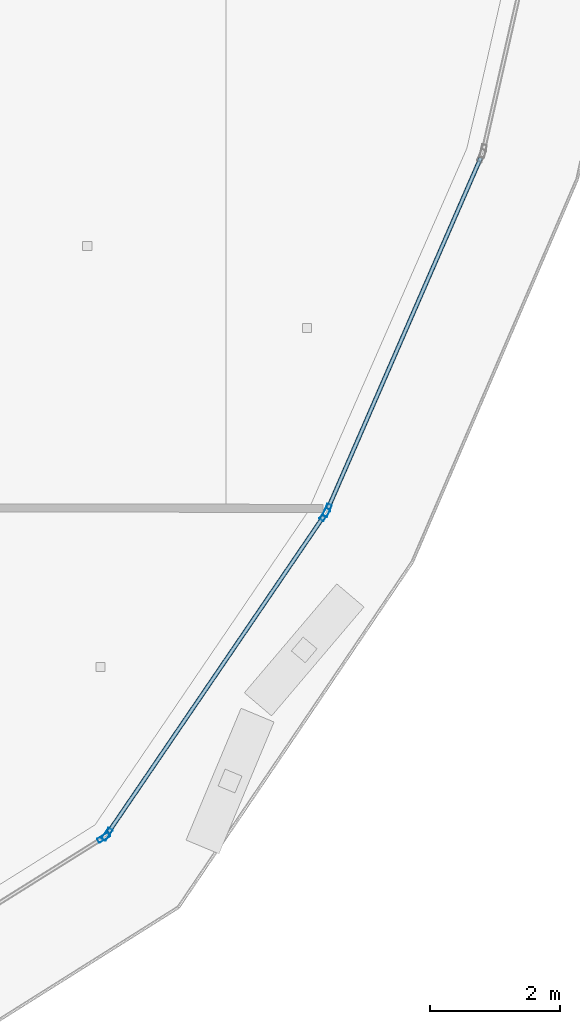
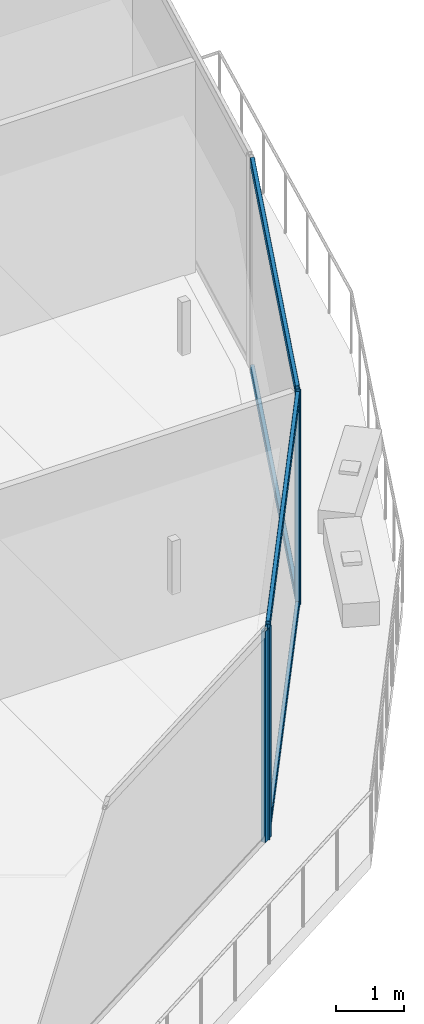
# One storey, part 13 of 40: 8 members, 3 elements without a shape of their own.
"""IFC4 building model written with IfcOpenShell, lengths in metres."""

from ifc_helpers import new_model, si_unit, direction, frame, origin, origin_2d, place, context, subcontext, project, spatial, hollow_rectangle, extrude, material, layer, layer_set, material_profile, profile_set, type_object, element, aggregate, save


model = new_model("IFC4")

# Units and contexts
model_context = context("Model", 3, precision=1e-05, world=origin(), true_north=direction((0.0, 1.0)))
body_context = subcontext(model_context, "Body", "Model", "MODEL_VIEW")
ifc_project = project(units=[si_unit("LENGTHUNIT", "METRE"), si_unit("AREAUNIT", "SQUARE_METRE"), si_unit("VOLUMEUNIT", "CUBIC_METRE"), si_unit("PLANEANGLEUNIT", "RADIAN"), si_unit("MASSUNIT", "GRAM", prefix="KILO")], contexts=[model_context])

# Site, building, storey
site_placement = place(None, origin())
site = spatial("IfcSite", under=ifc_project, at=site_placement, CompositionType="ELEMENT")
building_placement = place(site_placement, origin())
building = spatial("IfcBuilding", under=site, at=building_placement, Name="Qorvath Tower", CompositionType="ELEMENT")
storey_placement = place(building_placement, frame((0.0, 0.0, 225.300048828125)))
storey = spatial("IfcBuildingStorey", under=building, at=storey_placement, Name="L52", CompositionType="ELEMENT", Elevation=225.300048828125)

# Curtain wall, member
ifc_material_1 = material(Name="Anodised aluminium and triple low-E glass", Category="aluminium")
ifc_layer = layer(ifc_material_1, 0.179931640625)
ifc_layer_set = layer_set([ifc_layer], Name="CW-SYS-5")
curtain_wall_type = type_object("IfcCurtainWallType", Name="CW-SYS-5", PredefinedType="NOTDEFINED", material=ifc_layer_set)
curtain_wall_1_placement = place(storey_placement, origin())
curtain_wall_1 = element("IfcCurtainWall", 1, at=curtain_wall_1_placement, inside=storey, type_object=curtain_wall_type, Name="Curtain Wall CW-5 CW-T-L52-6.1", PredefinedType="NOTDEFINED")
ifc_material_2 = material(Name="Anodised aluminium 6063-T6", Category="aluminium")
ifc_material_profile_1 = material_profile(ifc_material_2, hollow_rectangle(XDim=0.074951171875, YDim=0.199951171875, WallThickness=0.00390625, InnerFilletRadius=0.00390625, OuterFilletRadius=0.008056640625, at=origin_2d()), Name="CWM 200x75")
ifc_profile_set_1 = profile_set([ifc_material_profile_1], Name="Anodised aluminium 6063-T6")
member_type_1 = type_object("IfcMemberType", Name="CWM-200", PredefinedType="MULLION", material=ifc_profile_set_1)
member_1_placement = place(storey_placement, frame((-6.4638671875, -20.614990234375, 0.0), z_axis=(0.0, 0.0, 1.0), x_axis=(-0.530545314822, 0.84765657487, 0.0)))
member_1 = element("IfcMember", 2, at=member_1_placement, type_object=member_type_1, Name="CW-5 mullion 2", PredefinedType="MULLION", context=body_context, shape_type="SweptSolid", body=[
    extrude(hollow_rectangle(XDim=0.074951171875, YDim=0.199951171875, WallThickness=0.00390625, InnerFilletRadius=0.00390625, OuterFilletRadius=0.008056640625, at=origin_2d()), origin(), (0.0, 0.0, 1.0), 3.780029296875),
])
aggregate(curtain_wall_1, [member_1])

# Curtain wall, members
curtain_wall_2_placement = place(storey_placement, origin())
curtain_wall_2 = element("IfcCurtainWall", 3, at=curtain_wall_2_placement, inside=storey, type_object=curtain_wall_type, Name="Curtain Wall CW-5 CW-T-L52-7.1", PredefinedType="NOTDEFINED")
member_2_placement = place(storey_placement, frame((-6.410888671875, -20.56396484375, 0.0), z_axis=(0.0, 0.0, 1.0), x_axis=(-0.826490619847, 0.56295049099, 0.0)))
member_2 = element("IfcMember", 4, at=member_2_placement, type_object=member_type_1, Name="CW-5 mullion 1", PredefinedType="MULLION", context=body_context, shape_type="SweptSolid", body=[
    extrude(hollow_rectangle(XDim=0.074951171875, YDim=0.199951171875, WallThickness=0.00390625, InnerFilletRadius=0.00390625, OuterFilletRadius=0.008056640625, at=origin_2d()), origin(), (0.0, 0.0, 1.0), 3.780029296875),
])
member_3_placement = place(storey_placement, frame((-3.05712890625, -15.639892578125, 0.0), z_axis=(0.0, 0.0, 1.0), x_axis=(-0.826490619847, 0.56295049099, 0.0)))
member_3 = element("IfcMember", 5, at=member_3_placement, type_object=member_type_1, Name="CW-5 mullion 2", PredefinedType="MULLION", context=body_context, shape_type="SweptSolid", body=[
    extrude(hollow_rectangle(XDim=0.074951171875, YDim=0.199951171875, WallThickness=0.00390625, InnerFilletRadius=0.00390625, OuterFilletRadius=0.008056640625, at=origin_2d()), origin(), (0.0, 0.0, 1.0), 3.780029296875),
])

# Curtain wall, member
curtain_wall_3_placement = place(storey_placement, origin())
curtain_wall_3 = element("IfcCurtainWall", 6, at=curtain_wall_3_placement, inside=storey, type_object=curtain_wall_type, Name="Curtain Wall CW-5 CW-T-L52-8.1", PredefinedType="NOTDEFINED")
member_4_placement = place(storey_placement, frame((-3.02099609375, -15.574462890625, 0.0), z_axis=(0.0, 0.0, 1.0), x_axis=(-0.916784683156, 0.399381828243, 0.0)))
member_4 = element("IfcMember", 7, at=member_4_placement, type_object=member_type_1, Name="CW-5 mullion 1", PredefinedType="MULLION", context=body_context, shape_type="SweptSolid", body=[
    extrude(hollow_rectangle(XDim=0.074951171875, YDim=0.199951171875, WallThickness=0.00390625, InnerFilletRadius=0.00390625, OuterFilletRadius=0.008056640625, at=origin_2d()), origin(), (0.0, 0.0, 1.0), 3.780029296875),
])

# Member
ifc_material_3 = material(Name="Anodised aluminium 6063-T6", Category="aluminium")
ifc_material_profile_2 = material_profile(ifc_material_3, hollow_rectangle(XDim=0.06494140625, YDim=0.159912109375, WallThickness=0.00341796875, InnerFilletRadius=0.00341796875, OuterFilletRadius=0.007080078125, at=origin_2d()), Name="CWT 160x65")
ifc_profile_set_2 = profile_set([ifc_material_profile_2], Name="Anodised aluminium 6063-T6")
member_type_2 = type_object("IfcMemberType", Name="CWT-160", PredefinedType="USERDEFINED", material=ifc_profile_set_2)
member_5_placement = place(storey_placement, frame((-6.389892578125, -20.532958984375, 0.032470703125), z_axis=(0.562956878655, 0.826486268958, 0.0), x_axis=(-0.826486268958, 0.562956878655, 0.0)))
member_5 = element("IfcMember", 8, at=member_5_placement, type_object=member_type_2, Name="CW-5 transom 1.1", ObjectType="TRANSOM", PredefinedType="USERDEFINED", context=body_context, shape_type="SweptSolid", body=[
    extrude(hollow_rectangle(XDim=0.06494140625, YDim=0.159912109375, WallThickness=0.00341796875, InnerFilletRadius=0.00341796875, OuterFilletRadius=0.007080078125, at=origin_2d()), origin(), (0.0, 0.0, 1.0), 5.8828125),
])

member_6_placement = place(storey_placement, frame((-6.389892578125, -20.532958984375, 3.74755859375), z_axis=(0.562956878655, 0.826486268958, 0.0), x_axis=(-0.826486268958, 0.562956878655, 0.0)))
member_6 = element("IfcMember", 9, at=member_6_placement, type_object=member_type_2, Name="CW-5 transom 1.2", ObjectType="TRANSOM", PredefinedType="USERDEFINED", context=body_context, shape_type="SweptSolid", body=[
    extrude(hollow_rectangle(XDim=0.06494140625, YDim=0.159912109375, WallThickness=0.00341796875, InnerFilletRadius=0.00341796875, OuterFilletRadius=0.007080078125, at=origin_2d()), origin(), (0.0, 0.0, 1.0), 5.8828125),
])

aggregate(curtain_wall_2, [member_2, member_3, member_5, member_6])

member_7_placement = place(storey_placement, frame((-3.005859375, -15.5400390625, 0.032470703125), z_axis=(0.399377050085, 0.916786764665, 0.0), x_axis=(-0.916786764665, 0.399377050085, 0.0)))
member_7 = element("IfcMember", 10, at=member_7_placement, type_object=member_type_2, Name="CW-5 transom 1.1", ObjectType="TRANSOM", PredefinedType="USERDEFINED", context=body_context, shape_type="SweptSolid", body=[
    extrude(hollow_rectangle(XDim=0.06494140625, YDim=0.159912109375, WallThickness=0.00341796875, InnerFilletRadius=0.00341796875, OuterFilletRadius=0.007080078125, at=origin_2d()), origin(), (0.0, 0.0, 1.0), 5.882568359375),
])

member_8_placement = place(storey_placement, frame((-3.005859375, -15.5400390625, 3.74755859375), z_axis=(0.399377050085, 0.916786764665, 0.0), x_axis=(-0.916786764665, 0.399377050085, 0.0)))
member_8 = element("IfcMember", 11, at=member_8_placement, type_object=member_type_2, Name="CW-5 transom 1.2", ObjectType="TRANSOM", PredefinedType="USERDEFINED", context=body_context, shape_type="SweptSolid", body=[
    extrude(hollow_rectangle(XDim=0.06494140625, YDim=0.159912109375, WallThickness=0.00341796875, InnerFilletRadius=0.00341796875, OuterFilletRadius=0.007080078125, at=origin_2d()), origin(), (0.0, 0.0, 1.0), 5.882568359375),
])

aggregate(curtain_wall_3, [member_4, member_7, member_8])

save(model, "model.ifc")
